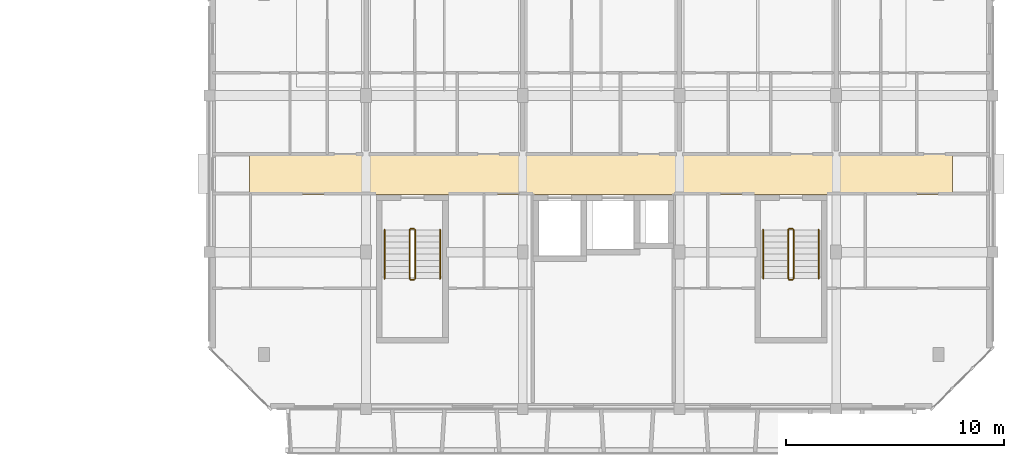
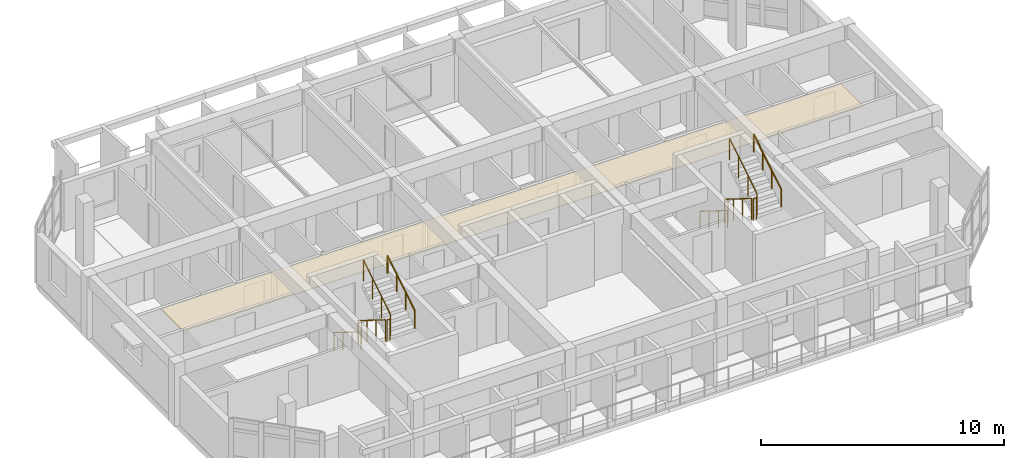
# One storey, part 45 of 46: 12 railings, 1 covering.
"""IFC4 building model written with IfcOpenShell, lengths in metres."""

from ifc_helpers import new_model, si_unit, direction, frame, origin, origin_2d, place, context, subcontext, project, spatial, polyline, circle, outline, extrude, material, layer, layer_set, type_object, element, save


model = new_model("IFC4")

# Units and contexts
model_context = context("Model", 3, precision=1e-05, world=origin(), true_north=direction((0.0, 1.0)))
body_context = subcontext(model_context, "Body", "Model", "MODEL_VIEW")
ifc_project = project(units=[si_unit("LENGTHUNIT", "METRE"), si_unit("AREAUNIT", "SQUARE_METRE"), si_unit("VOLUMEUNIT", "CUBIC_METRE"), si_unit("PLANEANGLEUNIT", "RADIAN"), si_unit("MASSUNIT", "GRAM", prefix="KILO")], contexts=[model_context])

# Site, building, storey
site_placement = place(None, origin())
site = spatial("IfcSite", under=ifc_project, at=site_placement, CompositionType="ELEMENT")
building_placement = place(site_placement, origin())
building = spatial("IfcBuilding", under=site, at=building_placement, Name="Ochrevale Crest", CompositionType="ELEMENT")
storey_placement = place(building_placement, frame((0.0, 0.0, 24.449951171875)))
storey = spatial("IfcBuildingStorey", under=building, at=storey_placement, Name="L07", CompositionType="ELEMENT", Elevation=24.449951171875)

# Covering
ifc_material_1 = material(Name="Gypsum plasterboard", Category="gypsum")
ifc_layer = layer(ifc_material_1, 0.02490234375)
ifc_layer_set = layer_set([ifc_layer], Name="Gypsum plasterboard")
covering_type = type_object("IfcCoveringType", Name="COV-CEIL-GYP", PredefinedType="CEILING", material=ifc_layer_set)
covering_placement = place(storey_placement, frame((0.0, 0.0, 2.280029296875)))
element("IfcCovering", 1, at=covering_placement, inside=storey, type_object=covering_type, Name="Block D L07 acoustic corridor ceiling", PredefinedType="CEILING", context=body_context, shape_type="SweptSolid", body=[
    extrude(outline(polyline([(131.449951171875, 81.860107421875), (163.75, 81.860107421875), (163.75, 83.739990234375), (131.449951171875, 83.739990234375), (131.449951171875, 81.860107421875)])), origin(), (0.0, 0.0, 1.0), 0.02490234375),
])

# Railings
ifc_material_2 = material(Name="Galvanised steel", Category="steel")
railing_type_1 = type_object("IfcRailingType", Name="RL-ST-GUARD", PredefinedType="BALUSTRADE", material=ifc_material_2)
railing_1_placement = place(storey_placement, frame((138.800048828125, 80.22509765625, 0.175048828125)))
element("IfcRailing", 2, at=railing_1_placement, inside=storey, type_object=railing_type_1, Name="L07 ST-D1 stair guard 1", PredefinedType="BALUSTRADE", context=body_context, shape_type="SweptSolid", body=[
    extrude(circle(Radius=0.02392578125, at=origin_2d()), frame((0.0, 0.0, 1.076171875), z_axis=(0.0, -0.848013881152, 0.529974015752), x_axis=(1.0, 0.0, 0.0)), (0.0, 0.0, 1.0), 2.641357421875),
    extrude(circle(Radius=0.02099609375, at=origin_2d()), origin(), (0.0, 0.0, 1.0), 1.052001953125),
    extrude(circle(Radius=0.02099609375, at=origin_2d()), frame((0.0, -0.74658203125, 0.466552734375)), (0.0, 0.0, 1.0), 1.052001953125),
    extrude(circle(Radius=0.02099609375, at=origin_2d()), frame((0.0, -1.493408203125, 0.933349609375)), (0.0, 0.0, 1.0), 1.052001953125),
    extrude(circle(Radius=0.02099609375, at=origin_2d()), frame((0.0, -2.239990234375, 1.39990234375)), (0.0, 0.0, 1.0), 1.052001953125),
])
railing_2_placement = place(storey_placement, frame((138.85009765625, 77.93505859375, 1.574951171875)))
element("IfcRailing", 3, at=railing_2_placement, inside=storey, type_object=railing_type_1, Name="L07 ST-D1 stair guard 2", PredefinedType="BALUSTRADE", context=body_context, shape_type="SweptSolid", body=[
    extrude(circle(Radius=0.02392578125, at=origin_2d()), frame((0.0, 0.0, 1.076171875), z_axis=(1.0, 0.0, 0.0), x_axis=(0.0, 1.0, 0.0)), (0.0, 0.0, 1.0), 0.14990234375),
    extrude(circle(Radius=0.02099609375, at=origin_2d()), origin(), (0.0, 0.0, 1.0), 1.052001953125),
    extrude(circle(Radius=0.02099609375, at=origin_2d()), frame((0.14990234375, 0.0, 0.0)), (0.0, 0.0, 1.0), 1.052001953125),
])
railing_3_placement = place(storey_placement, frame((139.050048828125, 77.985107421875, 1.75)))
element("IfcRailing", 4, at=railing_3_placement, inside=storey, type_object=railing_type_1, Name="L07 ST-D1 stair guard 3", PredefinedType="BALUSTRADE", context=body_context, shape_type="SweptSolid", body=[
    extrude(circle(Radius=0.02392578125, at=origin_2d()), frame((0.0, 0.0, 1.076171875), z_axis=(0.0, 0.847972341737, 0.530040477369), x_axis=(-1.0, 0.0, 0.0)), (0.0, 0.0, 1.0), 2.6416015625),
    extrude(circle(Radius=0.02099609375, at=origin_2d()), origin(), (0.0, 0.0, 1.0), 1.052001953125),
    extrude(circle(Radius=0.02099609375, at=origin_2d()), frame((0.0, 0.74658203125, 0.466796875)), (0.0, 0.0, 1.0), 1.052001953125),
    extrude(circle(Radius=0.02099609375, at=origin_2d()), frame((0.0, 1.493408203125, 0.933349609375)), (0.0, 0.0, 1.0), 1.052001953125),
    extrude(circle(Radius=0.02099609375, at=origin_2d()), frame((0.0, 2.239990234375, 1.400146484375)), (0.0, 0.0, 1.0), 1.052001953125),
])
railing_4_placement = place(storey_placement, frame((138.85009765625, 80.27490234375, 0.0)))
element("IfcRailing", 5, at=railing_4_placement, inside=storey, type_object=railing_type_1, Name="L07 ST-D1 stair guard 4", PredefinedType="BALUSTRADE", context=body_context, shape_type="SweptSolid", body=[
    extrude(circle(Radius=0.02392578125, at=origin_2d()), frame((0.0, 0.0, 1.076171875), z_axis=(1.0, 0.0, 0.0), x_axis=(0.0, 1.0, 0.0)), (0.0, 0.0, 1.0), 0.14990234375),
    extrude(circle(Radius=0.02099609375, at=origin_2d()), origin(), (0.0, 0.0, 1.0), 1.052001953125),
    extrude(circle(Radius=0.02099609375, at=origin_2d()), frame((0.14990234375, 0.0, 0.0)), (0.0, 0.0, 1.0), 1.052001953125),
])
railing_5_placement = place(storey_placement, frame((156.199951171875, 80.22509765625, 0.175048828125)))
element("IfcRailing", 6, at=railing_5_placement, inside=storey, type_object=railing_type_1, Name="L07 ST-D2 stair guard 1", PredefinedType="BALUSTRADE", context=body_context, shape_type="SweptSolid", body=[
    extrude(circle(Radius=0.02392578125, at=origin_2d()), frame((0.0, 0.0, 1.076171875), z_axis=(0.0, -0.848013881152, 0.529974015752), x_axis=(1.0, 0.0, 0.0)), (0.0, 0.0, 1.0), 2.641357421875),
    extrude(circle(Radius=0.02099609375, at=origin_2d()), origin(), (0.0, 0.0, 1.0), 1.052001953125),
    extrude(circle(Radius=0.02099609375, at=origin_2d()), frame((0.0, -0.74658203125, 0.466552734375)), (0.0, 0.0, 1.0), 1.052001953125),
    extrude(circle(Radius=0.02099609375, at=origin_2d()), frame((0.0, -1.493408203125, 0.933349609375)), (0.0, 0.0, 1.0), 1.052001953125),
    extrude(circle(Radius=0.02099609375, at=origin_2d()), frame((0.0, -2.239990234375, 1.39990234375)), (0.0, 0.0, 1.0), 1.052001953125),
])
railing_6_placement = place(storey_placement, frame((156.25, 77.93505859375, 1.574951171875)))
element("IfcRailing", 7, at=railing_6_placement, inside=storey, type_object=railing_type_1, Name="L07 ST-D2 stair guard 2", PredefinedType="BALUSTRADE", context=body_context, shape_type="SweptSolid", body=[
    extrude(circle(Radius=0.02392578125, at=origin_2d()), frame((0.0, 0.0, 1.076171875), z_axis=(1.0, 0.0, 0.0), x_axis=(0.0, 1.0, 0.0)), (0.0, 0.0, 1.0), 0.14990234375),
    extrude(circle(Radius=0.02099609375, at=origin_2d()), origin(), (0.0, 0.0, 1.0), 1.052001953125),
    extrude(circle(Radius=0.02099609375, at=origin_2d()), frame((0.14990234375, 0.0, 0.0)), (0.0, 0.0, 1.0), 1.052001953125),
])
railing_7_placement = place(storey_placement, frame((156.449951171875, 77.985107421875, 1.75)))
element("IfcRailing", 8, at=railing_7_placement, inside=storey, type_object=railing_type_1, Name="L07 ST-D2 stair guard 3", PredefinedType="BALUSTRADE", context=body_context, shape_type="SweptSolid", body=[
    extrude(circle(Radius=0.02392578125, at=origin_2d()), frame((0.0, 0.0, 1.076171875), z_axis=(0.0, 0.847972341737, 0.530040477369), x_axis=(-1.0, 0.0, 0.0)), (0.0, 0.0, 1.0), 2.6416015625),
    extrude(circle(Radius=0.02099609375, at=origin_2d()), origin(), (0.0, 0.0, 1.0), 1.052001953125),
    extrude(circle(Radius=0.02099609375, at=origin_2d()), frame((0.0, 0.74658203125, 0.466796875)), (0.0, 0.0, 1.0), 1.052001953125),
    extrude(circle(Radius=0.02099609375, at=origin_2d()), frame((0.0, 1.493408203125, 0.933349609375)), (0.0, 0.0, 1.0), 1.052001953125),
    extrude(circle(Radius=0.02099609375, at=origin_2d()), frame((0.0, 2.239990234375, 1.400146484375)), (0.0, 0.0, 1.0), 1.052001953125),
])
railing_8_placement = place(storey_placement, frame((156.25, 80.27490234375, 0.0)))
element("IfcRailing", 9, at=railing_8_placement, inside=storey, type_object=railing_type_1, Name="L07 ST-D2 stair guard 4", PredefinedType="BALUSTRADE", context=body_context, shape_type="SweptSolid", body=[
    extrude(circle(Radius=0.02392578125, at=origin_2d()), frame((0.0, 0.0, 1.076171875), z_axis=(1.0, 0.0, 0.0), x_axis=(0.0, 1.0, 0.0)), (0.0, 0.0, 1.0), 0.14990234375),
    extrude(circle(Radius=0.02099609375, at=origin_2d()), origin(), (0.0, 0.0, 1.0), 1.052001953125),
    extrude(circle(Radius=0.02099609375, at=origin_2d()), frame((0.14990234375, 0.0, 0.0)), (0.0, 0.0, 1.0), 1.052001953125),
])
ifc_material_3 = material(Name="Stainless steel", Category="steel")
railing_type_2 = type_object("IfcRailingType", Name="RL-ST-HRAIL", PredefinedType="HANDRAIL", material=ifc_material_3)
railing_9_placement = place(storey_placement, frame((137.64990234375, 80.22509765625, 0.175048828125)))
element("IfcRailing", 10, at=railing_9_placement, inside=storey, type_object=railing_type_2, Name="L07 ST-D1 stair handrail 1", PredefinedType="HANDRAIL", context=body_context, shape_type="SweptSolid", body=[
    extrude(circle(Radius=0.02392578125, at=origin_2d()), frame((0.0, 0.0, 0.8759765625), z_axis=(0.0, -0.848013881152, 0.529974015752), x_axis=(1.0, 0.0, 0.0)), (0.0, 0.0, 1.0), 2.641357421875),
    extrude(circle(Radius=0.02099609375, at=origin_2d()), origin(), (0.0, 0.0, 1.0), 0.851806640625),
    extrude(circle(Radius=0.02099609375, at=origin_2d()), frame((0.0, -0.74658203125, 0.466552734375)), (0.0, 0.0, 1.0), 0.851806640625),
    extrude(circle(Radius=0.02099609375, at=origin_2d()), frame((0.0, -1.493408203125, 0.933349609375)), (0.0, 0.0, 1.0), 0.851806640625),
    extrude(circle(Radius=0.02099609375, at=origin_2d()), frame((0.0, -2.239990234375, 1.39990234375)), (0.0, 0.0, 1.0), 0.851806640625),
])
railing_10_placement = place(storey_placement, frame((140.199951171875, 77.985107421875, 1.75)))
element("IfcRailing", 11, at=railing_10_placement, inside=storey, type_object=railing_type_2, Name="L07 ST-D1 stair handrail 2", PredefinedType="HANDRAIL", context=body_context, shape_type="SweptSolid", body=[
    extrude(circle(Radius=0.02392578125, at=origin_2d()), frame((0.0, 0.0, 0.8759765625), z_axis=(0.0, 0.847972341737, 0.530040477369), x_axis=(-1.0, 0.0, 0.0)), (0.0, 0.0, 1.0), 2.6416015625),
    extrude(circle(Radius=0.02099609375, at=origin_2d()), origin(), (0.0, 0.0, 1.0), 0.851806640625),
    extrude(circle(Radius=0.02099609375, at=origin_2d()), frame((0.0, 0.74658203125, 0.466796875)), (0.0, 0.0, 1.0), 0.851806640625),
    extrude(circle(Radius=0.02099609375, at=origin_2d()), frame((0.0, 1.493408203125, 0.933349609375)), (0.0, 0.0, 1.0), 0.851806640625),
    extrude(circle(Radius=0.02099609375, at=origin_2d()), frame((0.0, 2.239990234375, 1.400146484375)), (0.0, 0.0, 1.0), 0.851806640625),
])
railing_11_placement = place(storey_placement, frame((155.050048828125, 80.22509765625, 0.175048828125)))
element("IfcRailing", 12, at=railing_11_placement, inside=storey, type_object=railing_type_2, Name="L07 ST-D2 stair handrail 1", PredefinedType="HANDRAIL", context=body_context, shape_type="SweptSolid", body=[
    extrude(circle(Radius=0.02392578125, at=origin_2d()), frame((0.0, 0.0, 0.8759765625), z_axis=(0.0, -0.848013881152, 0.529974015752), x_axis=(1.0, 0.0, 0.0)), (0.0, 0.0, 1.0), 2.641357421875),
    extrude(circle(Radius=0.02099609375, at=origin_2d()), origin(), (0.0, 0.0, 1.0), 0.851806640625),
    extrude(circle(Radius=0.02099609375, at=origin_2d()), frame((0.0, -0.74658203125, 0.466552734375)), (0.0, 0.0, 1.0), 0.851806640625),
    extrude(circle(Radius=0.02099609375, at=origin_2d()), frame((0.0, -1.493408203125, 0.933349609375)), (0.0, 0.0, 1.0), 0.851806640625),
    extrude(circle(Radius=0.02099609375, at=origin_2d()), frame((0.0, -2.239990234375, 1.39990234375)), (0.0, 0.0, 1.0), 0.851806640625),
])
railing_12_placement = place(storey_placement, frame((157.60009765625, 77.985107421875, 1.75)))
element("IfcRailing", 13, at=railing_12_placement, inside=storey, type_object=railing_type_2, Name="L07 ST-D2 stair handrail 2", PredefinedType="HANDRAIL", context=body_context, shape_type="SweptSolid", body=[
    extrude(circle(Radius=0.02392578125, at=origin_2d()), frame((0.0, 0.0, 0.8759765625), z_axis=(0.0, 0.847972341737, 0.530040477369), x_axis=(-1.0, 0.0, 0.0)), (0.0, 0.0, 1.0), 2.6416015625),
    extrude(circle(Radius=0.02099609375, at=origin_2d()), origin(), (0.0, 0.0, 1.0), 0.851806640625),
    extrude(circle(Radius=0.02099609375, at=origin_2d()), frame((0.0, 0.74658203125, 0.466796875)), (0.0, 0.0, 1.0), 0.851806640625),
    extrude(circle(Radius=0.02099609375, at=origin_2d()), frame((0.0, 1.493408203125, 0.933349609375)), (0.0, 0.0, 1.0), 0.851806640625),
    extrude(circle(Radius=0.02099609375, at=origin_2d()), frame((0.0, 2.239990234375, 1.400146484375)), (0.0, 0.0, 1.0), 0.851806640625),
])

save(model, "model.ifc")
